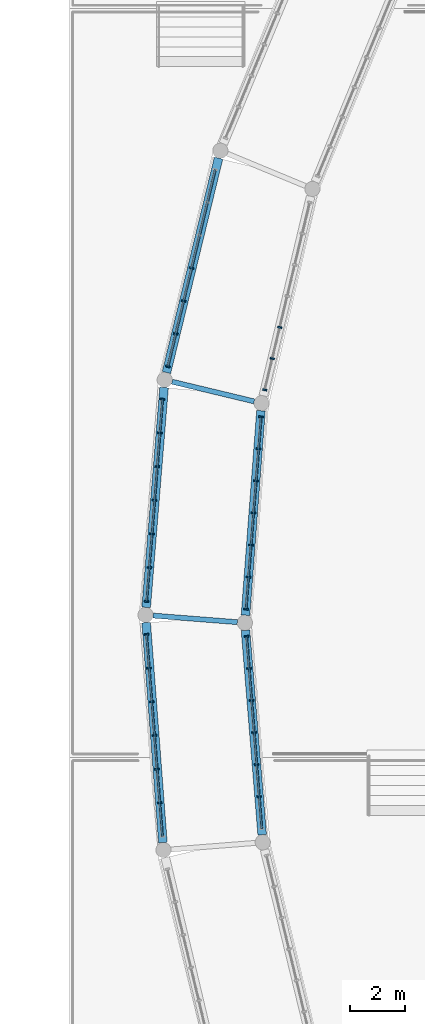
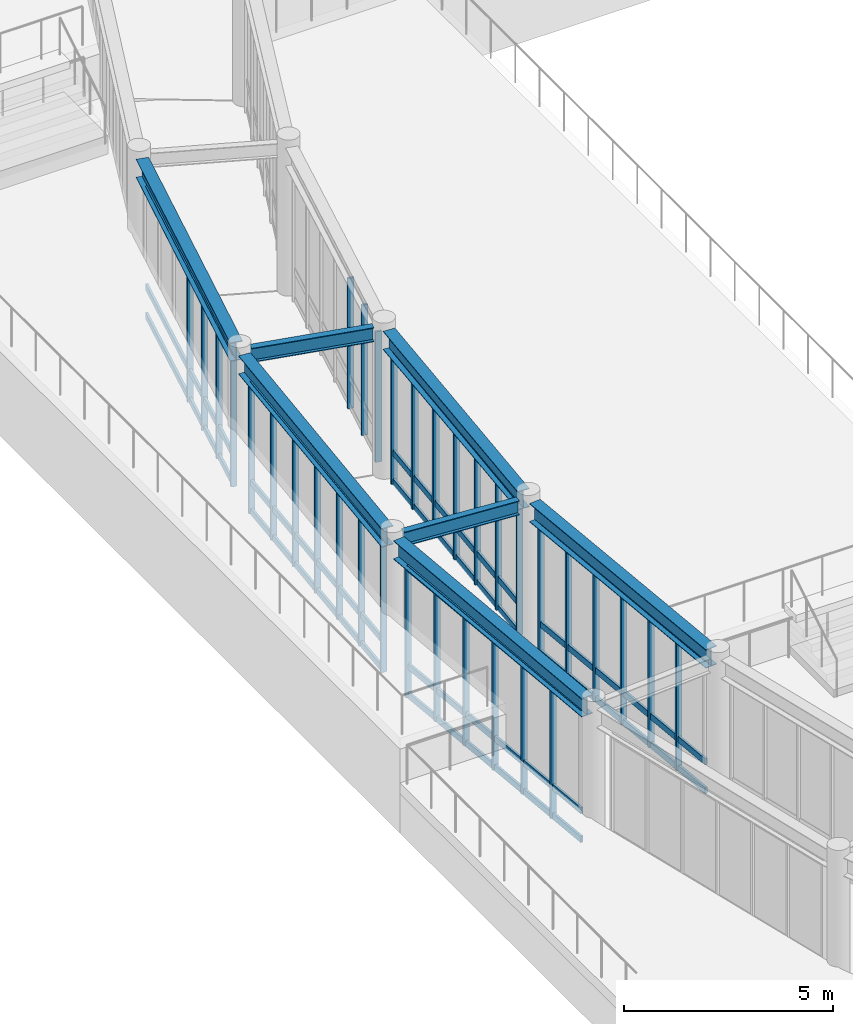
# One storey, part 28 of 94: 48 members, 7 beams, 6 elements without a shape of their own.
"""IFC4 building model written with IfcOpenShell, lengths in metres."""

from ifc_helpers import new_model, si_unit, direction, frame, origin, origin_2d, place, context, subcontext, project, spatial, rectangle, i_section, extrude, material, layer, layer_set, material_profile, profile_set, type_object, element, aggregate, save


model = new_model("IFC4")

# Units and contexts
model_context = context("Model", 3, precision=1e-05, world=origin(), true_north=direction((0.0, 1.0)))
body_context = subcontext(model_context, "Body", "Model", "MODEL_VIEW")
ifc_project = project(units=[si_unit("LENGTHUNIT", "METRE"), si_unit("AREAUNIT", "SQUARE_METRE"), si_unit("VOLUMEUNIT", "CUBIC_METRE"), si_unit("PLANEANGLEUNIT", "RADIAN"), si_unit("MASSUNIT", "GRAM", prefix="KILO")], contexts=[model_context])

# Site, building, storey
site_placement = place(None, origin())
site = spatial("IfcSite", under=ifc_project, at=site_placement, CompositionType="ELEMENT")
building_placement = place(site_placement, origin())
building = spatial("IfcBuilding", under=site, at=building_placement, Name="Aldenvaro Health Centre", CompositionType="ELEMENT")
storey_placement = place(building_placement, origin())
storey = spatial("IfcBuildingStorey", under=building, at=storey_placement, Name="L00", CompositionType="ELEMENT", Elevation=0.0)

# Beams
ifc_material_1 = material(Name="Steel ASTM A992 Grade 50", Category="steel")
ifc_material_profile_1 = material_profile(ifc_material_1, i_section(OverallWidth=0.180908203125, OverallDepth=0.4169921875, WebThickness=0.010986328125, FlangeThickness=0.018310546875, at=origin_2d()), Name="W16X57", Category="steel")
ifc_profile_set_1 = profile_set([ifc_material_profile_1], Name="Steel ASTM A992 Grade 50")
beam_type_1 = type_object("IfcBeamType", Name="BM-ST-W16E", PredefinedType="JOIST", material=ifc_profile_set_1)
beam_1_placement = place(storey_placement, frame((146.12890625, 66.85693359375, 4.135986328125), z_axis=(-0.97236041276, 0.233484962465, 0.0), x_axis=(-0.233484962465, -0.97236041276, 0.0)))
element("IfcBeam", 1, at=beam_1_placement, inside=storey, type_object=beam_type_1, Name="East Curved Garden Colonnade Arc 3 L00 cross beam 2", PredefinedType="JOIST", context=body_context, shape_type="SweptSolid", body=[
    extrude(i_section(OverallWidth=0.180908203125, OverallDepth=0.4169921875, WebThickness=0.010986328125, FlangeThickness=0.018310546875, at=origin_2d()), origin(), (0.0, 0.0, 1.0), 3.050048828125),
])
beam_2_placement = place(storey_placement, frame((145.52001953125, 58.881103515625, 4.135986328125), z_axis=(-0.996954754135, 0.077982165959, 0.0), x_axis=(-0.077982165959, -0.996954754135, 0.0)))
element("IfcBeam", 2, at=beam_2_placement, inside=storey, type_object=beam_type_1, Name="East Curved Garden Colonnade Arc 4 L00 cross beam 2", PredefinedType="JOIST", context=body_context, shape_type="SweptSolid", body=[
    extrude(i_section(OverallWidth=0.180908203125, OverallDepth=0.4169921875, WebThickness=0.010986328125, FlangeThickness=0.018310546875, at=origin_2d()), origin(), (0.0, 0.0, 1.0), 3.04931640625),
])
ifc_material_profile_2 = material_profile(ifc_material_1, i_section(OverallWidth=0.31201171875, OverallDepth=0.54296875, WebThickness=0.0126953125, FlangeThickness=0.020263671875, at=origin_2d()), Name="W21X101", Category="steel")
ifc_profile_set_2 = profile_set([ifc_material_profile_2], Name="Steel ASTM A992 Grade 50")
beam_type_2 = type_object("IfcBeamType", Name="BM-ST-W21E", PredefinedType="BEAM", material=ifc_profile_set_2)
beam_3_placement = place(storey_placement, frame((144.842041015625, 75.64501953125, 4.073974609375), z_axis=(-0.23601468328, -0.971749488951, 0.0), x_axis=(0.971749488951, -0.23601468328, 0.0)))
element("IfcBeam", 3, at=beam_3_placement, inside=storey, type_object=beam_type_2, Name="East Curved Garden Colonnade Arc 3 L00 girder R-1", PredefinedType="BEAM", context=body_context, shape_type="SweptSolid", body=[
    extrude(i_section(OverallWidth=0.31201171875, OverallDepth=0.54296875, WebThickness=0.0126953125, FlangeThickness=0.020263671875, at=origin_2d()), origin(), (0.0, 0.0, 1.0), 7.97021484375),
])
beam_4_placement = place(storey_placement, frame((146.375, 66.51904296875, 4.073974609375), z_axis=(-0.075610132089, -0.997137456886, 0.0), x_axis=(0.997137456886, -0.075610132089, 0.0)))
element("IfcBeam", 4, at=beam_4_placement, inside=storey, type_object=beam_type_2, Name="East Curved Garden Colonnade Arc 4 L00 girder L-1", PredefinedType="BEAM", context=body_context, shape_type="SweptSolid", body=[
    extrude(i_section(OverallWidth=0.31201171875, OverallDepth=0.54296875, WebThickness=0.0126953125, FlangeThickness=0.020263671875, at=origin_2d()), origin(), (0.0, 0.0, 1.0), 7.4072265625),
])
beam_5_placement = place(storey_placement, frame((142.8740234375, 67.35888671875, 4.073974609375), z_axis=(-0.081052743473, -0.996709813725, 0.0), x_axis=(0.996709813725, -0.081052743473, 0.0)))
element("IfcBeam", 5, at=beam_5_placement, inside=storey, type_object=beam_type_2, Name="East Curved Garden Colonnade Arc 4 L00 girder R-1", PredefinedType="BEAM", context=body_context, shape_type="SweptSolid", body=[
    extrude(i_section(OverallWidth=0.31201171875, OverallDepth=0.54296875, WebThickness=0.0126953125, FlangeThickness=0.020263671875, at=origin_2d()), origin(), (0.0, 0.0, 1.0), 7.969970703125),
])
beam_6_placement = place(storey_placement, frame((145.81591796875, 58.5849609375, 4.073974609375), z_axis=(0.081275147616, -0.996691702775, 0.0), x_axis=(0.996691702775, 0.081275147616, 0.0)))
element("IfcBeam", 6, at=beam_6_placement, inside=storey, type_object=beam_type_2, Name="East Curved Garden Colonnade Arc 5 L00 girder L-1", PredefinedType="BEAM", context=body_context, shape_type="SweptSolid", body=[
    extrude(i_section(OverallWidth=0.31201171875, OverallDepth=0.54296875, WebThickness=0.0126953125, FlangeThickness=0.020263671875, at=origin_2d()), origin(), (0.0, 0.0, 1.0), 7.407470703125),
])
beam_7_placement = place(storey_placement, frame((142.22705078125, 58.866943359375, 4.073974609375), z_axis=(0.075785234906, -0.997124163868, 0.0), x_axis=(0.997124163868, 0.075785234906, 0.0)))
element("IfcBeam", 7, at=beam_7_placement, inside=storey, type_object=beam_type_2, Name="East Curved Garden Colonnade Arc 5 L00 girder R-1", PredefinedType="BEAM", context=body_context, shape_type="SweptSolid", body=[
    extrude(i_section(OverallWidth=0.31201171875, OverallDepth=0.54296875, WebThickness=0.0126953125, FlangeThickness=0.020263671875, at=origin_2d()), origin(), (0.0, 0.0, 1.0), 7.969970703125),
])

# Curtain wall, members
ifc_material_2 = material(Name="Anodised Aluminium 6063-T6", Category="aluminium")
ifc_layer = layer(ifc_material_2, 0.2099609375, Name="Anodised Aluminium 6063-T6", Category="aluminium")
ifc_layer_set = layer_set([ifc_layer], Name="Anodised Aluminium 6063-T6")
curtain_wall_type = type_object("IfcCurtainWallType", Name="CW-BRG-03", PredefinedType="NOTDEFINED", material=ifc_layer_set)
curtain_wall_1_placement = place(storey_placement, origin())
curtain_wall_1 = element("IfcCurtainWall", 8, at=curtain_wall_1_placement, inside=storey, type_object=curtain_wall_type, Name="East Curved Garden Colonnade Arc 3 L00 glazed link wall L-1.1", PredefinedType="NOTDEFINED")
ifc_material_profile_3 = material_profile(ifc_material_2, rectangle(XDim=0.06005859375, YDim=0.159912109375, at=origin_2d()), Name="ALU 60x160", Category="aluminium")
ifc_profile_set_3 = profile_set([ifc_material_profile_3], Name="Anodised Aluminium 6063-T6")
member_type_1 = type_object("IfcMemberType", Name="CWM-180", PredefinedType="MULLION", material=ifc_profile_set_3)
member_1_placement = place(storey_placement, frame((147.053955078125, 69.531982421875, 0.0), z_axis=(0.0, 0.0, 1.0), x_axis=(-0.233541245949, -0.972346896144, 0.0)))
member_1 = element("IfcMember", 9, at=member_1_placement, type_object=member_type_1, Name="East Curved Garden Colonnade Arc 3 L00 glazed link wall L-1.1 mullion 5", PredefinedType="MULLION", context=body_context, shape_type="SweptSolid", body=[
    extrude(rectangle(XDim=0.06005859375, YDim=0.159912109375, at=origin_2d()), origin(), (0.0, 0.0, 1.0), 3.804931640625),
])
member_2_placement = place(storey_placement, frame((146.782958984375, 68.403076171875, 0.0), z_axis=(0.0, 0.0, 1.0), x_axis=(-0.233541245949, -0.972346896144, 0.0)))
member_2 = element("IfcMember", 10, at=member_2_placement, type_object=member_type_1, Name="East Curved Garden Colonnade Arc 3 L00 glazed link wall L-1.1 mullion 6", PredefinedType="MULLION", context=body_context, shape_type="SweptSolid", body=[
    extrude(rectangle(XDim=0.06005859375, YDim=0.159912109375, at=origin_2d()), origin(), (0.0, 0.0, 1.0), 3.804931640625),
])
member_3_placement = place(storey_placement, frame((146.511962890625, 67.27392578125, 0.0), z_axis=(0.0, 0.0, 1.0), x_axis=(-0.233541245949, -0.972346896144, 0.0)))
member_3 = element("IfcMember", 11, at=member_3_placement, type_object=member_type_1, Name="East Curved Garden Colonnade Arc 3 L00 glazed link wall L-1.1 mullion 7", PredefinedType="MULLION", context=body_context, shape_type="SweptSolid", body=[
    extrude(rectangle(XDim=0.06005859375, YDim=0.159912109375, at=origin_2d()), origin(), (0.0, 0.0, 1.0), 3.804931640625),
])
aggregate(curtain_wall_1, [member_1, member_2, member_3])

curtain_wall_2_placement = place(storey_placement, origin())
curtain_wall_2 = element("IfcCurtainWall", 12, at=curtain_wall_2_placement, inside=storey, type_object=curtain_wall_type, Name="East Curved Garden Colonnade Arc 3 L00 glazed link wall R-1.1", PredefinedType="NOTDEFINED")
member_4_placement = place(storey_placement, frame((143.866943359375, 71.674072265625, 0.0), z_axis=(0.0, 0.0, 1.0), x_axis=(-0.233625994255, -0.972326537131, 0.0)))
member_4 = element("IfcMember", 13, at=member_4_placement, type_object=member_type_1, Name="East Curved Garden Colonnade Arc 3 L00 glazed link wall R-1.1 mullion 4", PredefinedType="MULLION", context=body_context, shape_type="SweptSolid", body=[
    extrude(rectangle(XDim=0.06005859375, YDim=0.159912109375, at=origin_2d()), origin(), (0.0, 0.0, 1.0), 3.804931640625),
])
member_5_placement = place(storey_placement, frame((143.5810546875, 70.488037109375, 0.0), z_axis=(0.0, 0.0, 1.0), x_axis=(-0.233625994255, -0.972326537131, 0.0)))
member_5 = element("IfcMember", 14, at=member_5_placement, type_object=member_type_1, Name="East Curved Garden Colonnade Arc 3 L00 glazed link wall R-1.1 mullion 5", PredefinedType="MULLION", context=body_context, shape_type="SweptSolid", body=[
    extrude(rectangle(XDim=0.06005859375, YDim=0.159912109375, at=origin_2d()), origin(), (0.0, 0.0, 1.0), 3.804931640625),
])
member_6_placement = place(storey_placement, frame((143.2958984375, 69.301025390625, 0.0), z_axis=(0.0, 0.0, 1.0), x_axis=(-0.233625994255, -0.972326537131, 0.0)))
member_6 = element("IfcMember", 15, at=member_6_placement, type_object=member_type_1, Name="East Curved Garden Colonnade Arc 3 L00 glazed link wall R-1.1 mullion 6", PredefinedType="MULLION", context=body_context, shape_type="SweptSolid", body=[
    extrude(rectangle(XDim=0.06005859375, YDim=0.159912109375, at=origin_2d()), origin(), (0.0, 0.0, 1.0), 3.804931640625),
])
member_7_placement = place(storey_placement, frame((143.010986328125, 68.114013671875, 0.0), z_axis=(0.0, 0.0, 1.0), x_axis=(-0.233625994255, -0.972326537131, 0.0)))
member_7 = element("IfcMember", 16, at=member_7_placement, type_object=member_type_1, Name="East Curved Garden Colonnade Arc 3 L00 glazed link wall R-1.1 mullion 7", PredefinedType="MULLION", context=body_context, shape_type="SweptSolid", body=[
    extrude(rectangle(XDim=0.06005859375, YDim=0.159912109375, at=origin_2d()), origin(), (0.0, 0.0, 1.0), 3.804931640625),
])

curtain_wall_3_placement = place(storey_placement, origin())
curtain_wall_3 = element("IfcCurtainWall", 17, at=curtain_wall_3_placement, inside=storey, type_object=curtain_wall_type, Name="East Curved Garden Colonnade Arc 4 L00 glazed link wall L-1.1", PredefinedType="NOTDEFINED")
member_8_placement = place(storey_placement, frame((146.3798828125, 66.299072265625, 0.0), z_axis=(0.0, 0.0, 1.0), x_axis=(-0.078496068737, -0.996914423204, 0.0)))
member_8 = element("IfcMember", 18, at=member_8_placement, type_object=member_type_1, Name="East Curved Garden Colonnade Arc 4 L00 glazed link wall L-1.1 mullion 1", PredefinedType="MULLION", context=body_context, shape_type="SweptSolid", body=[
    extrude(rectangle(XDim=0.06005859375, YDim=0.159912109375, at=origin_2d()), origin(), (0.0, 0.0, 1.0), 3.804931640625),
])
member_9_placement = place(storey_placement, frame((146.2890625, 65.14111328125, 0.0), z_axis=(0.0, 0.0, 1.0), x_axis=(-0.078496068737, -0.996914423204, 0.0)))
member_9 = element("IfcMember", 19, at=member_9_placement, type_object=member_type_1, Name="East Curved Garden Colonnade Arc 4 L00 glazed link wall L-1.1 mullion 2", PredefinedType="MULLION", context=body_context, shape_type="SweptSolid", body=[
    extrude(rectangle(XDim=0.06005859375, YDim=0.159912109375, at=origin_2d()), origin(), (0.0, 0.0, 1.0), 3.804931640625),
])
member_10_placement = place(storey_placement, frame((146.197998046875, 63.98291015625, 0.0), z_axis=(0.0, 0.0, 1.0), x_axis=(-0.078496068737, -0.996914423204, 0.0)))
member_10 = element("IfcMember", 20, at=member_10_placement, type_object=member_type_1, Name="East Curved Garden Colonnade Arc 4 L00 glazed link wall L-1.1 mullion 3", PredefinedType="MULLION", context=body_context, shape_type="SweptSolid", body=[
    extrude(rectangle(XDim=0.06005859375, YDim=0.159912109375, at=origin_2d()), origin(), (0.0, 0.0, 1.0), 3.804931640625),
])
member_11_placement = place(storey_placement, frame((146.10595703125, 62.825927734375, 0.0), z_axis=(0.0, 0.0, 1.0), x_axis=(-0.078496068737, -0.996914423204, 0.0)))
member_11 = element("IfcMember", 21, at=member_11_placement, type_object=member_type_1, Name="East Curved Garden Colonnade Arc 4 L00 glazed link wall L-1.1 mullion 4", PredefinedType="MULLION", context=body_context, shape_type="SweptSolid", body=[
    extrude(rectangle(XDim=0.06005859375, YDim=0.159912109375, at=origin_2d()), origin(), (0.0, 0.0, 1.0), 3.804931640625),
])
member_12_placement = place(storey_placement, frame((146.014892578125, 61.66796875, 0.0), z_axis=(0.0, 0.0, 1.0), x_axis=(-0.078496068737, -0.996914423204, 0.0)))
member_12 = element("IfcMember", 22, at=member_12_placement, type_object=member_type_1, Name="East Curved Garden Colonnade Arc 4 L00 glazed link wall L-1.1 mullion 5", PredefinedType="MULLION", context=body_context, shape_type="SweptSolid", body=[
    extrude(rectangle(XDim=0.06005859375, YDim=0.159912109375, at=origin_2d()), origin(), (0.0, 0.0, 1.0), 3.804931640625),
])
member_13_placement = place(storey_placement, frame((145.924072265625, 60.510009765625, 0.0), z_axis=(0.0, 0.0, 1.0), x_axis=(-0.078496068737, -0.996914423204, 0.0)))
member_13 = element("IfcMember", 23, at=member_13_placement, type_object=member_type_1, Name="East Curved Garden Colonnade Arc 4 L00 glazed link wall L-1.1 mullion 6", PredefinedType="MULLION", context=body_context, shape_type="SweptSolid", body=[
    extrude(rectangle(XDim=0.06005859375, YDim=0.159912109375, at=origin_2d()), origin(), (0.0, 0.0, 1.0), 3.804931640625),
])
member_14_placement = place(storey_placement, frame((145.8330078125, 59.35205078125, 0.0), z_axis=(0.0, 0.0, 1.0), x_axis=(-0.078496068737, -0.996914423204, 0.0)))
member_14 = element("IfcMember", 24, at=member_14_placement, type_object=member_type_1, Name="East Curved Garden Colonnade Arc 4 L00 glazed link wall L-1.1 mullion 7", PredefinedType="MULLION", context=body_context, shape_type="SweptSolid", body=[
    extrude(rectangle(XDim=0.06005859375, YDim=0.159912109375, at=origin_2d()), origin(), (0.0, 0.0, 1.0), 3.804931640625),
])

curtain_wall_4_placement = place(storey_placement, origin())
curtain_wall_4 = element("IfcCurtainWall", 25, at=curtain_wall_4_placement, inside=storey, type_object=curtain_wall_type, Name="East Curved Garden Colonnade Arc 4 L00 glazed link wall R-1.1", PredefinedType="NOTDEFINED")
member_15_placement = place(storey_placement, frame((142.819091796875, 66.93505859375, 0.0), z_axis=(0.0, 0.0, 1.0), x_axis=(-0.078513219666, -0.996913072608, 0.0)))
member_15 = element("IfcMember", 26, at=member_15_placement, type_object=member_type_1, Name="East Curved Garden Colonnade Arc 4 L00 glazed link wall R-1.1 mullion 1", PredefinedType="MULLION", context=body_context, shape_type="SweptSolid", body=[
    extrude(rectangle(XDim=0.06005859375, YDim=0.159912109375, at=origin_2d()), origin(), (0.0, 0.0, 1.0), 3.804931640625),
])
member_16_placement = place(storey_placement, frame((142.722900390625, 65.718017578125, 0.0), z_axis=(0.0, 0.0, 1.0), x_axis=(-0.078513219666, -0.996913072608, 0.0)))
member_16 = element("IfcMember", 27, at=member_16_placement, type_object=member_type_1, Name="East Curved Garden Colonnade Arc 4 L00 glazed link wall R-1.1 mullion 2", PredefinedType="MULLION", context=body_context, shape_type="SweptSolid", body=[
    extrude(rectangle(XDim=0.06005859375, YDim=0.159912109375, at=origin_2d()), origin(), (0.0, 0.0, 1.0), 3.804931640625),
])
member_17_placement = place(storey_placement, frame((142.626953125, 64.5009765625, 0.0), z_axis=(0.0, 0.0, 1.0), x_axis=(-0.078513219666, -0.996913072608, 0.0)))
member_17 = element("IfcMember", 28, at=member_17_placement, type_object=member_type_1, Name="East Curved Garden Colonnade Arc 4 L00 glazed link wall R-1.1 mullion 3", PredefinedType="MULLION", context=body_context, shape_type="SweptSolid", body=[
    extrude(rectangle(XDim=0.06005859375, YDim=0.159912109375, at=origin_2d()), origin(), (0.0, 0.0, 1.0), 3.804931640625),
])
member_18_placement = place(storey_placement, frame((142.531005859375, 63.284912109375, 0.0), z_axis=(0.0, 0.0, 1.0), x_axis=(-0.078513219666, -0.996913072608, 0.0)))
member_18 = element("IfcMember", 29, at=member_18_placement, type_object=member_type_1, Name="East Curved Garden Colonnade Arc 4 L00 glazed link wall R-1.1 mullion 4", PredefinedType="MULLION", context=body_context, shape_type="SweptSolid", body=[
    extrude(rectangle(XDim=0.06005859375, YDim=0.159912109375, at=origin_2d()), origin(), (0.0, 0.0, 1.0), 3.804931640625),
])
member_19_placement = place(storey_placement, frame((142.43603515625, 62.068115234375, 0.0), z_axis=(0.0, 0.0, 1.0), x_axis=(-0.078513219666, -0.996913072608, 0.0)))
member_19 = element("IfcMember", 30, at=member_19_placement, type_object=member_type_1, Name="East Curved Garden Colonnade Arc 4 L00 glazed link wall R-1.1 mullion 5", PredefinedType="MULLION", context=body_context, shape_type="SweptSolid", body=[
    extrude(rectangle(XDim=0.06005859375, YDim=0.159912109375, at=origin_2d()), origin(), (0.0, 0.0, 1.0), 3.804931640625),
])
member_20_placement = place(storey_placement, frame((142.340087890625, 60.85107421875, 0.0), z_axis=(0.0, 0.0, 1.0), x_axis=(-0.078513219666, -0.996913072608, 0.0)))
member_20 = element("IfcMember", 31, at=member_20_placement, type_object=member_type_1, Name="East Curved Garden Colonnade Arc 4 L00 glazed link wall R-1.1 mullion 6", PredefinedType="MULLION", context=body_context, shape_type="SweptSolid", body=[
    extrude(rectangle(XDim=0.06005859375, YDim=0.159912109375, at=origin_2d()), origin(), (0.0, 0.0, 1.0), 3.804931640625),
])
member_21_placement = place(storey_placement, frame((142.243896484375, 59.634033203125, 0.0), z_axis=(0.0, 0.0, 1.0), x_axis=(-0.078513219666, -0.996913072608, 0.0)))
member_21 = element("IfcMember", 32, at=member_21_placement, type_object=member_type_1, Name="East Curved Garden Colonnade Arc 4 L00 glazed link wall R-1.1 mullion 7", PredefinedType="MULLION", context=body_context, shape_type="SweptSolid", body=[
    extrude(rectangle(XDim=0.06005859375, YDim=0.159912109375, at=origin_2d()), origin(), (0.0, 0.0, 1.0), 3.804931640625),
])

curtain_wall_5_placement = place(storey_placement, origin())
curtain_wall_5 = element("IfcCurtainWall", 33, at=curtain_wall_5_placement, inside=storey, type_object=curtain_wall_type, Name="East Curved Garden Colonnade Arc 5 L00 glazed link wall L-1.1", PredefinedType="NOTDEFINED")
member_22_placement = place(storey_placement, frame((145.85498046875, 58.367919921875, 0.0), z_axis=(0.0, 0.0, 1.0), x_axis=(0.078496068737, -0.996914423204, 0.0)))
member_22 = element("IfcMember", 34, at=member_22_placement, type_object=member_type_1, Name="East Curved Garden Colonnade Arc 5 L00 glazed link wall L-1.1 mullion 1", PredefinedType="MULLION", context=body_context, shape_type="SweptSolid", body=[
    extrude(rectangle(XDim=0.06005859375, YDim=0.159912109375, at=origin_2d()), origin(), (0.0, 0.0, 1.0), 3.804931640625),
])
member_23_placement = place(storey_placement, frame((145.946044921875, 57.2099609375, 0.0), z_axis=(0.0, 0.0, 1.0), x_axis=(0.078496068737, -0.996914423204, 0.0)))
member_23 = element("IfcMember", 35, at=member_23_placement, type_object=member_type_1, Name="East Curved Garden Colonnade Arc 5 L00 glazed link wall L-1.1 mullion 2", PredefinedType="MULLION", context=body_context, shape_type="SweptSolid", body=[
    extrude(rectangle(XDim=0.06005859375, YDim=0.159912109375, at=origin_2d()), origin(), (0.0, 0.0, 1.0), 3.804931640625),
])
member_24_placement = place(storey_placement, frame((146.037109375, 56.052001953125, 0.0), z_axis=(0.0, 0.0, 1.0), x_axis=(0.078496068737, -0.996914423204, 0.0)))
member_24 = element("IfcMember", 36, at=member_24_placement, type_object=member_type_1, Name="East Curved Garden Colonnade Arc 5 L00 glazed link wall L-1.1 mullion 3", PredefinedType="MULLION", context=body_context, shape_type="SweptSolid", body=[
    extrude(rectangle(XDim=0.06005859375, YDim=0.159912109375, at=origin_2d()), origin(), (0.0, 0.0, 1.0), 3.804931640625),
])
member_25_placement = place(storey_placement, frame((146.1279296875, 54.89501953125, 0.0), z_axis=(0.0, 0.0, 1.0), x_axis=(0.078496068737, -0.996914423204, 0.0)))
member_25 = element("IfcMember", 37, at=member_25_placement, type_object=member_type_1, Name="East Curved Garden Colonnade Arc 5 L00 glazed link wall L-1.1 mullion 4", PredefinedType="MULLION", context=body_context, shape_type="SweptSolid", body=[
    extrude(rectangle(XDim=0.06005859375, YDim=0.159912109375, at=origin_2d()), origin(), (0.0, 0.0, 1.0), 3.804931640625),
])
member_26_placement = place(storey_placement, frame((146.219970703125, 53.737060546875, 0.0), z_axis=(0.0, 0.0, 1.0), x_axis=(0.078496068737, -0.996914423204, 0.0)))
member_26 = element("IfcMember", 38, at=member_26_placement, type_object=member_type_1, Name="East Curved Garden Colonnade Arc 5 L00 glazed link wall L-1.1 mullion 5", PredefinedType="MULLION", context=body_context, shape_type="SweptSolid", body=[
    extrude(rectangle(XDim=0.06005859375, YDim=0.159912109375, at=origin_2d()), origin(), (0.0, 0.0, 1.0), 3.804931640625),
])
member_27_placement = place(storey_placement, frame((146.31103515625, 52.5791015625, 0.0), z_axis=(0.0, 0.0, 1.0), x_axis=(0.078496068737, -0.996914423204, 0.0)))
member_27 = element("IfcMember", 39, at=member_27_placement, type_object=member_type_1, Name="East Curved Garden Colonnade Arc 5 L00 glazed link wall L-1.1 mullion 6", PredefinedType="MULLION", context=body_context, shape_type="SweptSolid", body=[
    extrude(rectangle(XDim=0.06005859375, YDim=0.159912109375, at=origin_2d()), origin(), (0.0, 0.0, 1.0), 3.804931640625),
])

curtain_wall_6_placement = place(storey_placement, origin())
curtain_wall_6 = element("IfcCurtainWall", 40, at=curtain_wall_6_placement, inside=storey, type_object=curtain_wall_type, Name="East Curved Garden Colonnade Arc 5 L00 glazed link wall R-1.1", PredefinedType="NOTDEFINED")
member_28_placement = place(storey_placement, frame((142.238037109375, 58.43994140625, 0.0), z_axis=(0.0, 0.0, 1.0), x_axis=(0.078513219666, -0.996913072608, 0.0)))
member_28 = element("IfcMember", 41, at=member_28_placement, type_object=member_type_1, Name="East Curved Garden Colonnade Arc 5 L00 glazed link wall R-1.1 mullion 1", PredefinedType="MULLION", context=body_context, shape_type="SweptSolid", body=[
    extrude(rectangle(XDim=0.06005859375, YDim=0.159912109375, at=origin_2d()), origin(), (0.0, 0.0, 1.0), 3.804931640625),
])
member_29_placement = place(storey_placement, frame((142.333984375, 57.222900390625, 0.0), z_axis=(0.0, 0.0, 1.0), x_axis=(0.078513219666, -0.996913072608, 0.0)))
member_29 = element("IfcMember", 42, at=member_29_placement, type_object=member_type_1, Name="East Curved Garden Colonnade Arc 5 L00 glazed link wall R-1.1 mullion 2", PredefinedType="MULLION", context=body_context, shape_type="SweptSolid", body=[
    extrude(rectangle(XDim=0.06005859375, YDim=0.159912109375, at=origin_2d()), origin(), (0.0, 0.0, 1.0), 3.804931640625),
])
member_30_placement = place(storey_placement, frame((142.429931640625, 56.006103515625, 0.0), z_axis=(0.0, 0.0, 1.0), x_axis=(0.078513219666, -0.996913072608, 0.0)))
member_30 = element("IfcMember", 43, at=member_30_placement, type_object=member_type_1, Name="East Curved Garden Colonnade Arc 5 L00 glazed link wall R-1.1 mullion 3", PredefinedType="MULLION", context=body_context, shape_type="SweptSolid", body=[
    extrude(rectangle(XDim=0.06005859375, YDim=0.159912109375, at=origin_2d()), origin(), (0.0, 0.0, 1.0), 3.804931640625),
])
member_31_placement = place(storey_placement, frame((142.52490234375, 54.7900390625, 0.0), z_axis=(0.0, 0.0, 1.0), x_axis=(0.078513219666, -0.996913072608, 0.0)))
member_31 = element("IfcMember", 44, at=member_31_placement, type_object=member_type_1, Name="East Curved Garden Colonnade Arc 5 L00 glazed link wall R-1.1 mullion 4", PredefinedType="MULLION", context=body_context, shape_type="SweptSolid", body=[
    extrude(rectangle(XDim=0.06005859375, YDim=0.159912109375, at=origin_2d()), origin(), (0.0, 0.0, 1.0), 3.804931640625),
])
member_32_placement = place(storey_placement, frame((142.62109375, 53.572998046875, 0.0), z_axis=(0.0, 0.0, 1.0), x_axis=(0.078513219666, -0.996913072608, 0.0)))
member_32 = element("IfcMember", 45, at=member_32_placement, type_object=member_type_1, Name="East Curved Garden Colonnade Arc 5 L00 glazed link wall R-1.1 mullion 5", PredefinedType="MULLION", context=body_context, shape_type="SweptSolid", body=[
    extrude(rectangle(XDim=0.06005859375, YDim=0.159912109375, at=origin_2d()), origin(), (0.0, 0.0, 1.0), 3.804931640625),
])
member_33_placement = place(storey_placement, frame((142.717041015625, 52.35595703125, 0.0), z_axis=(0.0, 0.0, 1.0), x_axis=(0.078513219666, -0.996913072608, 0.0)))
member_33 = element("IfcMember", 46, at=member_33_placement, type_object=member_type_1, Name="East Curved Garden Colonnade Arc 5 L00 glazed link wall R-1.1 mullion 6", PredefinedType="MULLION", context=body_context, shape_type="SweptSolid", body=[
    extrude(rectangle(XDim=0.06005859375, YDim=0.159912109375, at=origin_2d()), origin(), (0.0, 0.0, 1.0), 3.804931640625),
])

# Member
ifc_material_profile_4 = material_profile(ifc_material_2, rectangle(XDim=0.06494140625, YDim=0.179931640625, at=origin_2d()), Name="ALU 65x180", Category="aluminium")
ifc_profile_set_4 = profile_set([ifc_material_profile_4], Name="Anodised Aluminium 6063-T6")
member_type_2 = type_object("IfcMemberType", Name="CWT-150", PredefinedType="USERDEFINED", material=ifc_profile_set_4)
member_34_placement = place(storey_placement, frame((144.721923828125, 75.235107421875, 0.06005859375), z_axis=(-0.233615018294, -0.972329174317, 0.0), x_axis=(0.972329174317, -0.233615018294, 0.0)))
member_34 = element("IfcMember", 47, at=member_34_placement, type_object=member_type_2, Name="East Curved Garden Colonnade Arc 3 L00 glazed link wall R-1.1 transom 1", ObjectType="TRANSOM", PredefinedType="USERDEFINED", context=body_context, shape_type="SweptSolid", body=[
    extrude(rectangle(XDim=0.06494140625, YDim=0.179931640625, at=origin_2d()), origin(), (0.0, 0.0, 1.0), 7.32373046875),
])

member_35_placement = place(storey_placement, frame((144.721923828125, 75.235107421875, 0.89990234375), z_axis=(-0.233615018294, -0.972329174317, 0.0), x_axis=(0.972329174317, -0.233615018294, 0.0)))
member_35 = element("IfcMember", 48, at=member_35_placement, type_object=member_type_2, Name="East Curved Garden Colonnade Arc 3 L00 glazed link wall R-1.1 transom 2", ObjectType="TRANSOM", PredefinedType="USERDEFINED", context=body_context, shape_type="SweptSolid", body=[
    extrude(rectangle(XDim=0.06494140625, YDim=0.179931640625, at=origin_2d()), origin(), (0.0, 0.0, 1.0), 7.32373046875),
])

member_36_placement = place(storey_placement, frame((144.721923828125, 75.235107421875, 3.7451171875), z_axis=(-0.233615018294, -0.972329174317, 0.0), x_axis=(0.972329174317, -0.233615018294, 0.0)))
member_36 = element("IfcMember", 49, at=member_36_placement, type_object=member_type_2, Name="East Curved Garden Colonnade Arc 3 L00 glazed link wall R-1.1 transom 3", ObjectType="TRANSOM", PredefinedType="USERDEFINED", context=body_context, shape_type="SweptSolid", body=[
    extrude(rectangle(XDim=0.06494140625, YDim=0.179931640625, at=origin_2d()), origin(), (0.0, 0.0, 1.0), 7.32373046875),
])

aggregate(curtain_wall_2, [member_4, member_5, member_6, member_7, member_34, member_35, member_36])

member_37_placement = place(storey_placement, frame((146.3798828125, 66.299072265625, 0.06005859375), z_axis=(-0.078478000157, -0.996915845742, 0.0), x_axis=(0.996915845742, -0.078478000157, 0.0)))
member_37 = element("IfcMember", 50, at=member_37_placement, type_object=member_type_2, Name="East Curved Garden Colonnade Arc 4 L00 glazed link wall L-1.1 transom 1", ObjectType="TRANSOM", PredefinedType="USERDEFINED", context=body_context, shape_type="SweptSolid", body=[
    extrude(rectangle(XDim=0.06494140625, YDim=0.179931640625, at=origin_2d()), origin(), (0.0, 0.0, 1.0), 6.968505859375),
])

member_38_placement = place(storey_placement, frame((146.3798828125, 66.299072265625, 0.89990234375), z_axis=(-0.078478000157, -0.996915845742, 0.0), x_axis=(0.996915845742, -0.078478000157, 0.0)))
member_38 = element("IfcMember", 51, at=member_38_placement, type_object=member_type_2, Name="East Curved Garden Colonnade Arc 4 L00 glazed link wall L-1.1 transom 2", ObjectType="TRANSOM", PredefinedType="USERDEFINED", context=body_context, shape_type="SweptSolid", body=[
    extrude(rectangle(XDim=0.06494140625, YDim=0.179931640625, at=origin_2d()), origin(), (0.0, 0.0, 1.0), 6.968505859375),
])

member_39_placement = place(storey_placement, frame((146.3798828125, 66.299072265625, 3.7451171875), z_axis=(-0.078478000157, -0.996915845742, 0.0), x_axis=(0.996915845742, -0.078478000157, 0.0)))
member_39 = element("IfcMember", 52, at=member_39_placement, type_object=member_type_2, Name="East Curved Garden Colonnade Arc 4 L00 glazed link wall L-1.1 transom 3", ObjectType="TRANSOM", PredefinedType="USERDEFINED", context=body_context, shape_type="SweptSolid", body=[
    extrude(rectangle(XDim=0.06494140625, YDim=0.179931640625, at=origin_2d()), origin(), (0.0, 0.0, 1.0), 6.968505859375),
])

aggregate(curtain_wall_3, [member_8, member_9, member_10, member_11, member_12, member_13, member_14, member_37, member_38, member_39])

member_40_placement = place(storey_placement, frame((142.819091796875, 66.93505859375, 0.06005859375), z_axis=(-0.078539452624, -0.99691100625, 0.0), x_axis=(0.99691100625, -0.078539452624, 0.0)))
member_40 = element("IfcMember", 53, at=member_40_placement, type_object=member_type_2, Name="East Curved Garden Colonnade Arc 4 L00 glazed link wall R-1.1 transom 1", ObjectType="TRANSOM", PredefinedType="USERDEFINED", context=body_context, shape_type="SweptSolid", body=[
    extrude(rectangle(XDim=0.06494140625, YDim=0.179931640625, at=origin_2d()), origin(), (0.0, 0.0, 1.0), 7.32373046875),
])

member_41_placement = place(storey_placement, frame((142.819091796875, 66.93505859375, 0.89990234375), z_axis=(-0.078539452624, -0.99691100625, 0.0), x_axis=(0.99691100625, -0.078539452624, 0.0)))
member_41 = element("IfcMember", 54, at=member_41_placement, type_object=member_type_2, Name="East Curved Garden Colonnade Arc 4 L00 glazed link wall R-1.1 transom 2", ObjectType="TRANSOM", PredefinedType="USERDEFINED", context=body_context, shape_type="SweptSolid", body=[
    extrude(rectangle(XDim=0.06494140625, YDim=0.179931640625, at=origin_2d()), origin(), (0.0, 0.0, 1.0), 7.32373046875),
])

member_42_placement = place(storey_placement, frame((142.819091796875, 66.93505859375, 3.7451171875), z_axis=(-0.078539452624, -0.99691100625, 0.0), x_axis=(0.99691100625, -0.078539452624, 0.0)))
member_42 = element("IfcMember", 55, at=member_42_placement, type_object=member_type_2, Name="East Curved Garden Colonnade Arc 4 L00 glazed link wall R-1.1 transom 3", ObjectType="TRANSOM", PredefinedType="USERDEFINED", context=body_context, shape_type="SweptSolid", body=[
    extrude(rectangle(XDim=0.06494140625, YDim=0.179931640625, at=origin_2d()), origin(), (0.0, 0.0, 1.0), 7.32373046875),
])

aggregate(curtain_wall_4, [member_15, member_16, member_17, member_18, member_19, member_20, member_21, member_40, member_41, member_42])

member_43_placement = place(storey_placement, frame((145.85498046875, 58.367919921875, 0.06005859375), z_axis=(0.078512819062, -0.996913104158, 0.0), x_axis=(0.996913104158, 0.078512819062, 0.0)))
member_43 = element("IfcMember", 56, at=member_43_placement, type_object=member_type_2, Name="East Curved Garden Colonnade Arc 5 L00 glazed link wall L-1.1 transom 1", ObjectType="TRANSOM", PredefinedType="USERDEFINED", context=body_context, shape_type="SweptSolid", body=[
    extrude(rectangle(XDim=0.06494140625, YDim=0.179931640625, at=origin_2d()), origin(), (0.0, 0.0, 1.0), 6.968505859375),
])

member_44_placement = place(storey_placement, frame((145.85498046875, 58.367919921875, 0.89990234375), z_axis=(0.078512819062, -0.996913104158, 0.0), x_axis=(0.996913104158, 0.078512819062, 0.0)))
member_44 = element("IfcMember", 57, at=member_44_placement, type_object=member_type_2, Name="East Curved Garden Colonnade Arc 5 L00 glazed link wall L-1.1 transom 2", ObjectType="TRANSOM", PredefinedType="USERDEFINED", context=body_context, shape_type="SweptSolid", body=[
    extrude(rectangle(XDim=0.06494140625, YDim=0.179931640625, at=origin_2d()), origin(), (0.0, 0.0, 1.0), 6.968505859375),
])

member_45_placement = place(storey_placement, frame((145.85498046875, 58.367919921875, 3.7451171875), z_axis=(0.078512819062, -0.996913104158, 0.0), x_axis=(0.996913104158, 0.078512819062, 0.0)))
member_45 = element("IfcMember", 58, at=member_45_placement, type_object=member_type_2, Name="East Curved Garden Colonnade Arc 5 L00 glazed link wall L-1.1 transom 3", ObjectType="TRANSOM", PredefinedType="USERDEFINED", context=body_context, shape_type="SweptSolid", body=[
    extrude(rectangle(XDim=0.06494140625, YDim=0.179931640625, at=origin_2d()), origin(), (0.0, 0.0, 1.0), 6.968505859375),
])

aggregate(curtain_wall_5, [member_22, member_23, member_24, member_25, member_26, member_27, member_43, member_44, member_45])

member_46_placement = place(storey_placement, frame((142.238037109375, 58.43994140625, 0.06005859375), z_axis=(0.078506322194, -0.996913615804, 0.0), x_axis=(0.996913615804, 0.078506322194, 0.0)))
member_46 = element("IfcMember", 59, at=member_46_placement, type_object=member_type_2, Name="East Curved Garden Colonnade Arc 5 L00 glazed link wall R-1.1 transom 1", ObjectType="TRANSOM", PredefinedType="USERDEFINED", context=body_context, shape_type="SweptSolid", body=[
    extrude(rectangle(XDim=0.06494140625, YDim=0.179931640625, at=origin_2d()), origin(), (0.0, 0.0, 1.0), 7.32373046875),
])

member_47_placement = place(storey_placement, frame((142.238037109375, 58.43994140625, 0.89990234375), z_axis=(0.078506322194, -0.996913615804, 0.0), x_axis=(0.996913615804, 0.078506322194, 0.0)))
member_47 = element("IfcMember", 60, at=member_47_placement, type_object=member_type_2, Name="East Curved Garden Colonnade Arc 5 L00 glazed link wall R-1.1 transom 2", ObjectType="TRANSOM", PredefinedType="USERDEFINED", context=body_context, shape_type="SweptSolid", body=[
    extrude(rectangle(XDim=0.06494140625, YDim=0.179931640625, at=origin_2d()), origin(), (0.0, 0.0, 1.0), 7.32373046875),
])

member_48_placement = place(storey_placement, frame((142.238037109375, 58.43994140625, 3.7451171875), z_axis=(0.078506322194, -0.996913615804, 0.0), x_axis=(0.996913615804, 0.078506322194, 0.0)))
member_48 = element("IfcMember", 61, at=member_48_placement, type_object=member_type_2, Name="East Curved Garden Colonnade Arc 5 L00 glazed link wall R-1.1 transom 3", ObjectType="TRANSOM", PredefinedType="USERDEFINED", context=body_context, shape_type="SweptSolid", body=[
    extrude(rectangle(XDim=0.06494140625, YDim=0.179931640625, at=origin_2d()), origin(), (0.0, 0.0, 1.0), 7.32373046875),
])

aggregate(curtain_wall_6, [member_28, member_29, member_30, member_31, member_32, member_33, member_46, member_47, member_48])

save(model, "model.ifc")
